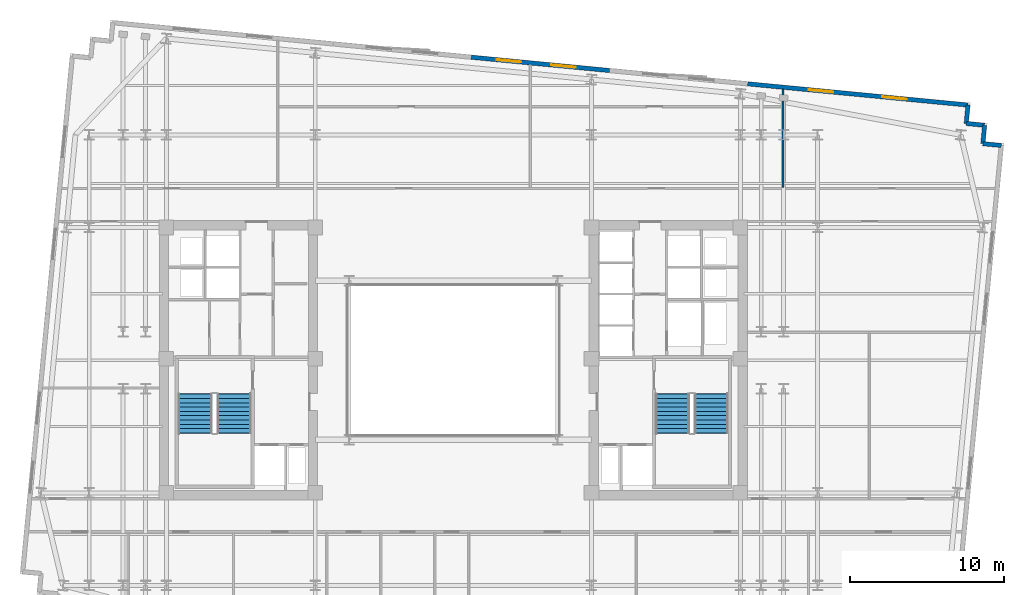
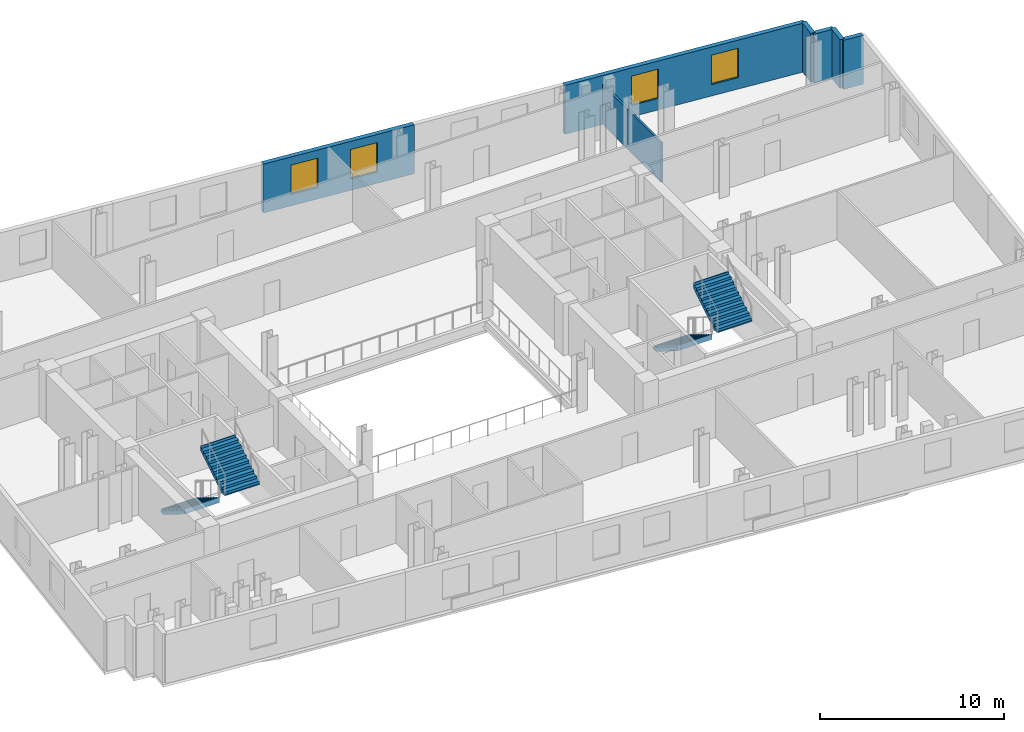
# One storey, part 7 of 9: 7 walls, 4 stair flights, 4 windows, 4 openings, 2 elements without a shape of their own.
"""IFC4 building model written with IfcOpenShell, lengths in metres."""

import ifcopenshell
import ifcopenshell.guid

model = None  # the IFC model being written
_history = None  # IfcOwnerHistory: only IFC2X3 demands one
_inside = {}  # id of a spatial element -> (the spatial element, [elements in it])
_under = {}  # id of a project, library or spatial element -> (it, [spatial elements below it])
_declared = {}  # id of a project -> (the project, [libraries it declares])
_typed = {}  # id of a type object -> (the type object, [elements of that type])
_made_of = {}  # id of a material, layer set ... -> (it, [elements and type objects made of it])


def new_model(schema):
    """Start an empty IFC model of exactly this schema.

    Asked for "IFC4X3", IfcOpenShell would pick the latest addendum, in which some entities
    have other attributes; the version numbers below select the first issue.
    IFC2X3 requires an IfcOwnerHistory on every rooted entity: one is made here for all.
    """
    global model, _history
    if schema == "IFC4X3":
        model = ifcopenshell.file(schema_version=(4, 3, 0, 0))
    else:
        model = ifcopenshell.file(schema=schema)
    _inside.clear()
    _under.clear()
    _declared.clear()
    _typed.clear()
    _made_of.clear()
    _history = None
    if model.schema == "IFC2X3":
        org = make("IfcOrganization", Name="unknown")
        user = make(
            "IfcPersonAndOrganization",
            ThePerson=make("IfcPerson", FamilyName="unknown"),
            TheOrganization=org,
        )
        app = make(
            "IfcApplication",
            ApplicationDeveloper=org,
            Version="unknown",
            ApplicationFullName="unknown",
            ApplicationIdentifier="unknown",
        )
        _history = make(
            "IfcOwnerHistory",
            OwningUser=user,
            OwningApplication=app,
            ChangeAction="ADDED",
            CreationDate=0,
        )
    return model


def make(cls, **values):
    """One entity of the class cls with the attributes given. An attribute that is None is left unset."""
    return model.create_entity(
        cls, **{name: value for name, value in values.items() if value is not None}
    )


def rooted(cls, **values):
    """An entity with a GlobalId (a new one), such as an element, a storey or a relation."""
    return make(cls, GlobalId=ifcopenshell.guid.new(), OwnerHistory=_history, **values)


def si_unit(unit_type, name, prefix=None):
    """IfcSIUnit, for example si_unit("LENGTHUNIT", "METRE", prefix="MILLI")."""
    return make("IfcSIUnit", UnitType=unit_type, Prefix=prefix, Name=name)


def assignment(units):
    """IfcUnitAssignment: the units of a project."""
    return None if units is None else make("IfcUnitAssignment", Units=units)


def point(xyz):
    """IfcCartesianPoint."""
    return None if xyz is None else make("IfcCartesianPoint", Coordinates=xyz)


def direction(xyz):
    """IfcDirection."""
    return None if xyz is None else make("IfcDirection", DirectionRatios=xyz)


def frame(location, z_axis=None, x_axis=None):
    """IfcAxis2Placement3D, a coordinate frame: its origin and axes. An axis left out is left unset."""
    return make(
        "IfcAxis2Placement3D",
        Location=point(location),
        Axis=direction(z_axis),
        RefDirection=direction(x_axis),
    )


def frame_2d(location, x_axis=None):
    """IfcAxis2Placement2D, a coordinate frame in the plane: its origin and x axis."""
    return make(
        "IfcAxis2Placement2D", Location=point(location), RefDirection=direction(x_axis)
    )


def origin():
    """The frame at (0, 0, 0) with its axes left unset."""
    return frame((0.0, 0.0, 0.0))


def place(relative_to, where):
    """IfcLocalPlacement: puts the frame where relative to a parent placement (None: the world)."""
    return make(
        "IfcLocalPlacement", PlacementRelTo=relative_to, RelativePlacement=where
    )


def context(
    kind, dimensions, precision=None, world=None, true_north=None, identifier=None
):
    """IfcGeometricRepresentationContext, for example the 3D "Model" context."""
    return make(
        "IfcGeometricRepresentationContext",
        ContextIdentifier=identifier,
        ContextType=kind,
        CoordinateSpaceDimension=dimensions,
        Precision=precision,
        WorldCoordinateSystem=world,
        TrueNorth=true_north,
    )


def subcontext(parent, identifier, kind, view, scale=None):
    """IfcGeometricRepresentationSubContext, for example "Body" below "Model"."""
    return make(
        "IfcGeometricRepresentationSubContext",
        ContextIdentifier=identifier,
        ContextType=kind,
        ParentContext=parent,
        TargetScale=scale,
        TargetView=view,
    )


def project(units=None, contexts=None):
    """IfcProject with its units and contexts."""
    return rooted(
        "IfcProject",
        Name="project",
        RepresentationContexts=contexts,
        UnitsInContext=assignment(units),
    )


def spatial(cls, under=None, at=None, **own):
    """A site, building, storey or space (cls), placed at a placement, below another one or the project."""
    s = rooted(cls, ObjectPlacement=at, **own)
    if under is not None:
        _under.setdefault(under.id(), (under, []))[1].append(s)
    return s


def polyline(points):
    """IfcPolyline through the points."""
    return make("IfcPolyline", Points=[point(p) for p in points])


def profile(cls, at=None, kind="AREA", **sizes):
    """A parametric profile (cls). Its sizes go by their IFC names, for example OverallWidth=200.0."""
    return make(cls, ProfileType=kind, Position=at, **sizes)


def rectangle(**sizes):
    """IfcRectangleProfileDef."""
    return profile("IfcRectangleProfileDef", **sizes)


def outline(outer, holes=None, kind="AREA"):
    """IfcArbitraryClosedProfileDef: a profile drawn as a closed curve; with holes, ...WithVoids."""
    if holes is None:
        return make("IfcArbitraryClosedProfileDef", ProfileType=kind, OuterCurve=outer)
    return make(
        "IfcArbitraryProfileDefWithVoids",
        ProfileType=kind,
        OuterCurve=outer,
        InnerCurves=holes,
    )


def extrude(swept, where, along, depth):
    """IfcExtrudedAreaSolid: the profile swept, set in the frame where, extruded along a direction by depth."""
    return make(
        "IfcExtrudedAreaSolid",
        SweptArea=swept,
        Position=where,
        ExtrudedDirection=direction(along),
        Depth=depth,
    )


def shape(context_of_items, identifier, shape_type, items):
    """IfcShapeRepresentation: the items that make up one representation, for example the "Body"."""
    return make(
        "IfcShapeRepresentation",
        ContextOfItems=context_of_items,
        RepresentationIdentifier=identifier,
        RepresentationType=shape_type,
        Items=items,
    )


def material(Name=None, Category=None):
    """IfcMaterial."""
    return make("IfcMaterial", Name=Name, Category=Category)


def layer(
    of_material, thickness, ventilated=None, Name=None, Category=None, Priority=None
):
    """IfcMaterialLayer: one layer of a wall or slab, of a material (None: an air gap)."""
    return make(
        "IfcMaterialLayer",
        Material=of_material,
        LayerThickness=thickness,
        IsVentilated=ventilated,
        Name=Name,
        Category=Category,
        Priority=Priority,
    )


def layer_set(layers, Name=None):
    """IfcMaterialLayerSet."""
    return make("IfcMaterialLayerSet", MaterialLayers=layers, LayerSetName=Name)


def made_of(thing, what):
    """Note that an element or type object is made of a material, layer set ...; save() writes the relation."""
    if what is not None:
        _made_of.setdefault(what.id(), (what, []))[1].append(thing)
    return thing


def type_object(cls, material=None, **own):
    """A type object (cls), such as IfcWallType, which elements share."""
    return made_of(rooted(cls, **own), material)


def element(
    cls,
    number,
    at=None,
    inside=None,
    cuts=None,
    type_object=None,
    material=None,
    context=None,
    identifier="Body",
    shape_type=None,
    held_by="IfcProductDefinitionShape",
    body=None,
    shapes=None,
    **own,
):
    """One element of the class cls, such as IfcWall. Its Tag is "e" and its number.

    at: its placement. inside: the storey or other place that contains it. cuts: it is an
    opening in that element (IfcRelVoidsElement). A single representation is given by context,
    identifier, shape_type and body (its items); several are given by shapes. held_by: the class
    of the entity that holds the representations. save() writes the other relations.
    """
    e = rooted(cls, Tag="e%d" % number, ObjectPlacement=at, **own)
    if body is not None:
        shapes = [shape(context, identifier, shape_type, body)]
    if shapes is not None:
        e.Representation = make(held_by, Representations=shapes)
    if inside is not None:
        _inside.setdefault(inside.id(), (inside, []))[1].append(e)
    if cuts is not None:
        rooted(
            "IfcRelVoidsElement", RelatingBuildingElement=cuts, RelatedOpeningElement=e
        )
    if type_object is not None:
        _typed.setdefault(type_object.id(), (type_object, []))[1].append(e)
    return made_of(e, material)


def fill(opening, filler):
    """IfcRelFillsElement: the door or window that sits in an opening."""
    return rooted(
        "IfcRelFillsElement",
        RelatingOpeningElement=opening,
        RelatedBuildingElement=filler,
    )


def aggregate(whole, parts):
    """IfcRelAggregates: a whole, such as a stair, and the parts it consists of."""
    return rooted("IfcRelAggregates", RelatingObject=whole, RelatedObjects=parts)


def save(model, path):
    """Write the relations noted so far, then the file.

    IfcRelAggregates (storeys below a building ...), IfcRelContainedInSpatialStructure (elements
    in a storey), IfcRelDefinesByType, IfcRelAssociatesMaterial and IfcRelDeclares: one each for
    every whole, place, type object, material and project.
    """
    for whole, parts in _under.values():
        aggregate(whole, parts)
    for where, things in _inside.values():
        rooted(
            "IfcRelContainedInSpatialStructure",
            RelatedElements=things,
            RelatingStructure=where,
        )
    for kind, things in _typed.values():
        rooted("IfcRelDefinesByType", RelatedObjects=things, RelatingType=kind)
    for what, things in _made_of.values():
        rooted("IfcRelAssociatesMaterial", RelatedObjects=things, RelatingMaterial=what)
    for by, libraries in _declared.values():
        rooted("IfcRelDeclares", RelatingContext=by, RelatedDefinitions=libraries)
    model.write(path)


model = new_model("IFC4")

# Units and contexts
model_context = context("Model", 3, precision=1e-05, world=origin(), true_north=direction((0.0, 1.0)))
body_context = subcontext(model_context, "Body", "Model", "MODEL_VIEW")
ifc_project = project(units=[si_unit("LENGTHUNIT", "METRE"), si_unit("AREAUNIT", "SQUARE_METRE"), si_unit("VOLUMEUNIT", "CUBIC_METRE"), si_unit("PLANEANGLEUNIT", "RADIAN"), si_unit("MASSUNIT", "GRAM", prefix="KILO")], contexts=[model_context])

# Site, building, storey
site_placement = place(None, origin())
site = spatial("IfcSite", under=ifc_project, at=site_placement, CompositionType="ELEMENT")
building_placement = place(site_placement, origin())
building = spatial("IfcBuilding", under=site, at=building_placement, Name="Velakula Bourse", CompositionType="ELEMENT")
storey_placement = place(building_placement, frame((0.0, 0.0, 181.10009765625)))
storey = spatial("IfcBuildingStorey", under=building, at=storey_placement, Name="L49", CompositionType="ELEMENT", Elevation=181.10009765625)

# Wall, openings, windows
ifc_material_1 = material(Name="Red kilned clay facing brick masonry", Category="masonry")
ifc_layer_1 = layer(ifc_material_1, 0.280029296875, Name="Red kilned clay facing brick masonry", Category="masonry")
ifc_layer_set_1 = layer_set([ifc_layer_1], Name="Red kilned clay facing brick masonry")
wall_type_1 = type_object("IfcWallType", Name="WL-EXT-BRK-280", PredefinedType="STANDARD", material=ifc_layer_set_1)
wall_1_placement = place(storey_placement, frame((1.159912109375, 19.633056640625, 0.0), z_axis=(0.0, 0.0, 1.0), x_axis=(0.995394455533, -0.09586385082, 0.0)))
wall_1 = element("IfcWall", 1, at=wall_1_placement, inside=storey, type_object=wall_type_1, Name="L49 N Brick Spandrel Wall B3", PredefinedType="STANDARD", context=body_context, shape_type="SweptSolid", body=[
    extrude(rectangle(XDim=9.000244140625, YDim=0.280029296875, at=frame_2d((4.5, 0.0))), origin(), (0.0, 0.0, 1.0), 3.25),
])
opening_1_placement = place(wall_1_placement, frame((1.64990234375, 0.0, 0.760009765625)))
opening_1 = element("IfcOpeningElement", 2, at=opening_1_placement, cuts=wall_1, Name="Opening W-02", PredefinedType="OPENING", context=body_context, shape_type="SweptSolid", body=[
    extrude(rectangle(XDim=1.60009765625, YDim=1.949951171875, at=frame_2d((0.800048828125, 0.97509765625))), frame((0.0, 0.14990234375, 0.0), z_axis=(0.0, -1.0, 0.0), x_axis=(1.0, 0.0, 0.0)), (0.0, 0.0, 1.0), 0.300048828125),
])
opening_2_placement = place(wall_1_placement, frame((5.199951171875, 0.0, 0.760009765625)))
opening_2 = element("IfcOpeningElement", 3, at=opening_2_placement, cuts=wall_1, Name="Opening W-02", PredefinedType="OPENING", context=body_context, shape_type="SweptSolid", body=[
    extrude(rectangle(XDim=1.60009765625, YDim=1.949951171875, at=frame_2d((0.800048828125, 0.97509765625))), frame((0.0, 0.14990234375, 0.0), z_axis=(0.0, -1.0, 0.0), x_axis=(1.0, 0.0, 0.0)), (0.0, 0.0, 1.0), 0.300048828125),
])
ifc_material_2 = material(Name="Double-glazed solar-control Low-E glass", Category="glass")
window_type = type_object("IfcWindowType", Name="WIN-TWR-1600x2100", PartitioningType="SINGLE_PANEL", PredefinedType="WINDOW", material=ifc_material_2)
window_1_placement = place(opening_1_placement, origin())
window_1 = element("IfcWindow", 4, at=window_1_placement, inside=storey, type_object=window_type, Name="L49 Deep-Set Recessed Window 1", OverallHeight=1.949951171875, OverallWidth=1.60009765625, PartitioningType="SINGLE_PANEL", PredefinedType="WINDOW", context=body_context, shape_type="SweptSolid", body=[
    extrude(rectangle(XDim=1.60009765625, YDim=1.949951171875, at=frame_2d((0.800048828125, 0.97509765625))), frame((0.0, 0.030029296875, 0.0), z_axis=(0.0, -1.0, 0.0), x_axis=(1.0, 0.0, 0.0)), (0.0, 0.0, 1.0), 0.06005859375),
])
fill(opening_1, window_1)
window_2_placement = place(opening_2_placement, origin())
window_2 = element("IfcWindow", 5, at=window_2_placement, inside=storey, type_object=window_type, Name="L49 Deep-Set Recessed Window 2", OverallHeight=1.949951171875, OverallWidth=1.60009765625, PartitioningType="SINGLE_PANEL", PredefinedType="WINDOW", context=body_context, shape_type="SweptSolid", body=[
    extrude(rectangle(XDim=1.60009765625, YDim=1.949951171875, at=frame_2d((0.800048828125, 0.97509765625))), frame((0.0, 0.030029296875, 0.0), z_axis=(0.0, -1.0, 0.0), x_axis=(1.0, 0.0, 0.0)), (0.0, 0.0, 1.0), 0.06005859375),
])
fill(opening_2, window_2)

wall_2_placement = place(storey_placement, frame((19.0771484375, 17.90771484375, 0.0), z_axis=(0.0, 0.0, 1.0), x_axis=(0.995395606285, -0.095851901334, 0.0)))
wall_2 = element("IfcWall", 6, at=wall_2_placement, inside=storey, type_object=wall_type_1, Name="L49 N Brick Spandrel Wall B5", PredefinedType="STANDARD", context=body_context, shape_type="SweptSolid", body=[
    extrude(rectangle(XDim=14.33984375, YDim=0.280029296875, at=frame_2d((7.169921875, 0.0))), origin(), (0.0, 0.0, 1.0), 3.25),
])
opening_3_placement = place(wall_2_placement, frame((3.97998046875, 0.0, 0.760009765625)))
opening_3 = element("IfcOpeningElement", 7, at=opening_3_placement, cuts=wall_2, Name="Opening W-02", PredefinedType="OPENING", context=body_context, shape_type="SweptSolid", body=[
    extrude(rectangle(XDim=1.60009765625, YDim=1.949951171875, at=frame_2d((0.800048828125, 0.97509765625))), frame((0.0, 0.14990234375, 0.0), z_axis=(0.0, -1.0, 0.0), x_axis=(1.0, 0.0, 0.0)), (0.0, 0.0, 1.0), 0.300048828125),
])
opening_4_placement = place(wall_2_placement, frame((8.760009765625, 0.0, 0.760009765625)))
opening_4 = element("IfcOpeningElement", 8, at=opening_4_placement, cuts=wall_2, Name="Opening W-02", PredefinedType="OPENING", context=body_context, shape_type="SweptSolid", body=[
    extrude(rectangle(XDim=1.60009765625, YDim=1.949951171875, at=frame_2d((0.800048828125, 0.97509765625))), frame((0.0, 0.14990234375, 0.0), z_axis=(0.0, -1.0, 0.0), x_axis=(1.0, 0.0, 0.0)), (0.0, 0.0, 1.0), 0.300048828125),
])
window_3_placement = place(opening_3_placement, origin())
window_3 = element("IfcWindow", 9, at=window_3_placement, inside=storey, type_object=window_type, Name="L49 Deep-Set Recessed Window 1", OverallHeight=1.949951171875, OverallWidth=1.60009765625, PartitioningType="SINGLE_PANEL", PredefinedType="WINDOW", context=body_context, shape_type="SweptSolid", body=[
    extrude(rectangle(XDim=1.60009765625, YDim=1.949951171875, at=frame_2d((0.800048828125, 0.97509765625))), frame((0.0, 0.030029296875, 0.0), z_axis=(0.0, -1.0, 0.0), x_axis=(1.0, 0.0, 0.0)), (0.0, 0.0, 1.0), 0.06005859375),
])
fill(opening_3, window_3)
window_4_placement = place(opening_4_placement, origin())
window_4 = element("IfcWindow", 10, at=window_4_placement, inside=storey, type_object=window_type, Name="L49 Deep-Set Recessed Window 2", OverallHeight=1.949951171875, OverallWidth=1.60009765625, PartitioningType="SINGLE_PANEL", PredefinedType="WINDOW", context=body_context, shape_type="SweptSolid", body=[
    extrude(rectangle(XDim=1.60009765625, YDim=1.949951171875, at=frame_2d((0.800048828125, 0.97509765625))), frame((0.0, 0.030029296875, 0.0), z_axis=(0.0, -1.0, 0.0), x_axis=(1.0, 0.0, 0.0)), (0.0, 0.0, 1.0), 0.06005859375),
])
fill(opening_4, window_4)

# Walls
wall_3_placement = place(storey_placement, frame((35.510009765625, 13.914306640625, 0.0), z_axis=(0.0, 0.0, 1.0), x_axis=(-0.995397091755, 0.095836473879, 0.0)))
element("IfcWall", 11, at=wall_3_placement, inside=storey, type_object=wall_type_1, Name="L49 Serrated Corner Brick Wall NE-1", PredefinedType="STANDARD", context=body_context, shape_type="SweptSolid", body=[
    extrude(rectangle(XDim=1.199951171875, YDim=0.280029296875, at=frame_2d((0.60009765625, 0.0))), origin(), (0.0, 0.0, 1.0), 3.25),
])
for number, where, z_axis, x_axis, name in (
    (12, (34.315673828125, 14.029296875, 0.0), (0.0, 0.0, 1.0), (0.095817067274, 0.995398960025, 0.0), "L49 Serrated Corner Brick Wall NE-2"),
    (13, (34.4306640625, 15.223876953125, 0.0), (0.0, 0.0, 1.0), (-0.995398960025, 0.095817067274, 0.0), "L49 Serrated Corner Brick Wall NE-3"),
):
    element("IfcWall", number, at=place(storey_placement, frame(where, z_axis=z_axis, x_axis=x_axis)), inside=storey, type_object=wall_type_1, Name=name, PredefinedType="STANDARD", context=body_context, shape_type="SweptSolid", body=[
        extrude(rectangle(XDim=1.2001953125, YDim=0.280029296875, at=frame_2d((0.60009765625, 0.0))), origin(), (0.0, 0.0, 1.0), 3.25),
    ])
wall_4_placement = place(storey_placement, frame((33.236083984375, 15.3388671875, 0.0), z_axis=(0.0, 0.0, 1.0), x_axis=(0.095836473879, 0.995397091755, 0.0)))
element("IfcWall", 14, at=wall_4_placement, inside=storey, type_object=wall_type_1, Name="L49 Serrated Corner Brick Wall NE-4", PredefinedType="STANDARD", context=body_context, shape_type="SweptSolid", body=[
    extrude(rectangle(XDim=1.199951171875, YDim=0.280029296875, at=frame_2d((0.60009765625, 0.0))), origin(), (0.0, 0.0, 1.0), 3.25),
])
ifc_material_3 = material(Name="Fire-rated double-layer gypsum drywall partition", Category="gypsum")
ifc_layer_2 = layer(ifc_material_3, 0.1201171875, Name="Fire-rated double-layer gypsum drywall partition", Category="gypsum")
ifc_layer_set_2 = layer_set([ifc_layer_2], Name="Fire-rated double-layer gypsum drywall partition")
wall_type_2 = type_object("IfcWallType", Name="WL-PART-120", PredefinedType="STANDARD", material=ifc_layer_set_2)
wall_5_placement = place(storey_placement, frame((21.364990234375, 11.18994140625, 0.0), z_axis=(0.0, 0.0, 1.0), x_axis=(0.0, 1.0, 0.0)))
element("IfcWall", 15, at=wall_5_placement, inside=storey, type_object=wall_type_2, Name="L49 Interior Partition WL-INT-L49-N-D3", PredefinedType="STANDARD", context=body_context, shape_type="SweptSolid", body=[
    extrude(rectangle(XDim=6.376953125, YDim=0.1201171875, at=frame_2d((3.1884765625, 0.0))), origin(), (0.0, 0.0, 1.0), 2.64501953125),
])

# Stair, stair flights
ifc_material_4 = material(Name="Concrete M45 (fck 45 MPa)", Category="concrete")
stair_type = type_object("IfcStairType", Name="STR-DOG-390", PredefinedType="HALF_TURN_STAIR", material=ifc_material_4)
stair_1_placement = place(storey_placement, origin())
stair_1 = element("IfcStair", 16, at=stair_1_placement, inside=storey, type_object=stair_type, Name="L49 West Core Exit Stair ST-W1", PredefinedType="HALF_TURN_STAIR")
ifc_layer_3 = layer(ifc_material_4, 0.195068359375, Name="Concrete M45 (fck 45 MPa)", Category="concrete")
ifc_layer_set_3 = layer_set([ifc_layer_3], Name="Concrete M45 (fck 45 MPa)")
stair_flight_type = type_object("IfcStairFlightType", Name="FLT-DOG-390", PredefinedType="STRAIGHT", material=ifc_layer_set_3)
stair_flight_1_placement = place(storey_placement, frame((-16.720947265625, -2.199951171875, 0.0), z_axis=(0.0, 0.0, 1.0), x_axis=(0.0, -1.0, 0.0)))
stair_flight_1 = element("IfcStairFlight", 17, at=stair_flight_1_placement, type_object=stair_flight_type, Name="ST-W1 flight 1", NumberOfRisers=10, NumberOfTreads=9, PredefinedType="STRAIGHT", RiserHeight=0.1725, TreadLength=0.28, context=body_context, shape_type="SweptSolid", body=[
    extrude(outline(polyline([(-0.044921875, -0.0400390625), (-0.044921875, -0.036865234375), (-0.044921875, -0.033935546875), (-0.044921875, -0.03076171875), (-0.044921875, -0.027587890625), (-0.044921875, -0.024658203125), (-0.044921875, -0.021484375), (-0.044921875, -0.0185546875), (-0.044921875, -0.015380859375), (-0.044921875, -0.01220703125), (-0.044921875, -0.00927734375), (-0.044921875, -0.006103515625), (-0.044921875, -0.003173828125), (-0.044921875, 0.0), (0.0, 0.0), (0.0, 0.172607421875), (0.280029296875, 0.172607421875), (0.280029296875, 0.344970703125), (0.56005859375, 0.344970703125), (0.56005859375, 0.517578125), (0.840087890625, 0.517578125), (0.840087890625, 0.68994140625), (1.1201171875, 0.68994140625), (1.1201171875, 0.862548828125), (1.39990234375, 0.862548828125), (1.39990234375, 1.034912109375), (1.679931640625, 1.034912109375), (1.679931640625, 1.20751953125), (1.9599609375, 1.20751953125), (1.9599609375, 1.3798828125), (2.239990234375, 1.3798828125), (2.239990234375, 1.552490234375), (2.52001953125, 1.552490234375), (2.52001953125, 1.72509765625), (2.56494140625, 1.72509765625), (2.56494140625, 1.7001953125), (2.56494140625, 1.67529296875), (2.56494140625, 1.650390625), (2.56494140625, 1.62548828125), (2.56494140625, 1.6005859375), (2.56494140625, 1.57568359375), (2.56494140625, 1.55078125), (2.56494140625, 1.52587890625), (2.56494140625, 1.5009765625), (2.56494140625, 1.47607421875), (2.56494140625, 1.451171875), (2.56494140625, 1.42626953125), (2.56494140625, 1.4013671875), (2.56494140625, 1.37646484375), (0.285888671875, -0.0400390625), (-0.044921875, -0.0400390625)])), frame((0.0, 1.09912109375, 0.0), z_axis=(0.0, -1.0, 0.0), x_axis=(1.0, 0.0, 0.0)), (0.0, 0.0, 1.0), 2.197998046875),
])
stair_flight_2_placement = place(storey_placement, frame((-14.198974609375, -4.719970703125, 1.724853515625), z_axis=(0.0, 0.0, 1.0), x_axis=(0.0, 1.0, 0.0)))
stair_flight_2 = element("IfcStairFlight", 18, at=stair_flight_2_placement, type_object=stair_flight_type, Name="ST-W1 flight 2", NumberOfRisers=10, NumberOfTreads=9, PredefinedType="STRAIGHT", RiserHeight=0.1725, TreadLength=0.28, context=body_context, shape_type="SweptSolid", body=[
    extrude(outline(polyline([(-0.044921875, -0.0400390625), (-0.044921875, -0.036865234375), (-0.044921875, -0.033935546875), (-0.044921875, -0.03076171875), (-0.044921875, -0.027587890625), (-0.044921875, -0.024658203125), (-0.044921875, -0.021484375), (-0.044921875, -0.0185546875), (-0.044921875, -0.015380859375), (-0.044921875, -0.01220703125), (-0.044921875, -0.00927734375), (-0.044921875, -0.006103515625), (-0.044921875, -0.003173828125), (-0.044921875, 0.0), (0.0, 0.0), (0.0, 0.172607421875), (0.280029296875, 0.172607421875), (0.280029296875, 0.344970703125), (0.56005859375, 0.344970703125), (0.56005859375, 0.517578125), (0.840087890625, 0.517578125), (0.840087890625, 0.68994140625), (1.1201171875, 0.68994140625), (1.1201171875, 0.862548828125), (1.39990234375, 0.862548828125), (1.39990234375, 1.034912109375), (1.679931640625, 1.034912109375), (1.679931640625, 1.20751953125), (1.9599609375, 1.20751953125), (1.9599609375, 1.3798828125), (2.239990234375, 1.3798828125), (2.239990234375, 1.552490234375), (2.52001953125, 1.552490234375), (2.52001953125, 1.72509765625), (2.56494140625, 1.72509765625), (2.56494140625, 1.7001953125), (2.56494140625, 1.67529296875), (2.56494140625, 1.650390625), (2.56494140625, 1.62548828125), (2.56494140625, 1.6005859375), (2.56494140625, 1.57568359375), (2.56494140625, 1.55078125), (2.56494140625, 1.52587890625), (2.56494140625, 1.5009765625), (2.56494140625, 1.47607421875), (2.56494140625, 1.451171875), (2.56494140625, 1.42626953125), (2.56494140625, 1.4013671875), (2.56494140625, 1.37646484375), (0.285888671875, -0.0400390625), (-0.044921875, -0.0400390625)])), frame((0.0, 1.09912109375, 0.0), z_axis=(0.0, -1.0, 0.0), x_axis=(1.0, 0.0, 0.0)), (0.0, 0.0, 1.0), 2.197998046875),
])
aggregate(stair_1, [stair_flight_1, stair_flight_2])

stair_2_placement = place(storey_placement, origin())
stair_2 = element("IfcStair", 19, at=stair_2_placement, inside=storey, type_object=stair_type, Name="L49 East Core Exit Stair ST-E1", PredefinedType="HALF_TURN_STAIR")
stair_flight_3_placement = place(storey_placement, frame((14.198974609375, -2.199951171875, 0.0), z_axis=(0.0, 0.0, 1.0), x_axis=(0.0, -1.0, 0.0)))
stair_flight_3 = element("IfcStairFlight", 20, at=stair_flight_3_placement, type_object=stair_flight_type, Name="ST-E1 flight 1", NumberOfRisers=10, NumberOfTreads=9, PredefinedType="STRAIGHT", RiserHeight=0.1725, TreadLength=0.28, context=body_context, shape_type="SweptSolid", body=[
    extrude(outline(polyline([(-0.044921875, -0.0400390625), (-0.044921875, -0.036865234375), (-0.044921875, -0.033935546875), (-0.044921875, -0.03076171875), (-0.044921875, -0.027587890625), (-0.044921875, -0.024658203125), (-0.044921875, -0.021484375), (-0.044921875, -0.0185546875), (-0.044921875, -0.015380859375), (-0.044921875, -0.01220703125), (-0.044921875, -0.00927734375), (-0.044921875, -0.006103515625), (-0.044921875, -0.003173828125), (-0.044921875, 0.0), (0.0, 0.0), (0.0, 0.172607421875), (0.280029296875, 0.172607421875), (0.280029296875, 0.344970703125), (0.56005859375, 0.344970703125), (0.56005859375, 0.517578125), (0.840087890625, 0.517578125), (0.840087890625, 0.68994140625), (1.1201171875, 0.68994140625), (1.1201171875, 0.862548828125), (1.39990234375, 0.862548828125), (1.39990234375, 1.034912109375), (1.679931640625, 1.034912109375), (1.679931640625, 1.20751953125), (1.9599609375, 1.20751953125), (1.9599609375, 1.3798828125), (2.239990234375, 1.3798828125), (2.239990234375, 1.552490234375), (2.52001953125, 1.552490234375), (2.52001953125, 1.72509765625), (2.56494140625, 1.72509765625), (2.56494140625, 1.7001953125), (2.56494140625, 1.67529296875), (2.56494140625, 1.650390625), (2.56494140625, 1.62548828125), (2.56494140625, 1.6005859375), (2.56494140625, 1.57568359375), (2.56494140625, 1.55078125), (2.56494140625, 1.52587890625), (2.56494140625, 1.5009765625), (2.56494140625, 1.47607421875), (2.56494140625, 1.451171875), (2.56494140625, 1.42626953125), (2.56494140625, 1.4013671875), (2.56494140625, 1.37646484375), (0.285888671875, -0.0400390625), (-0.044921875, -0.0400390625)])), frame((0.0, 1.09912109375, 0.0), z_axis=(0.0, -1.0, 0.0), x_axis=(1.0, 0.0, 0.0)), (0.0, 0.0, 1.0), 2.197998046875),
])
stair_flight_4_placement = place(storey_placement, frame((16.720947265625, -4.719970703125, 1.724853515625), z_axis=(0.0, 0.0, 1.0), x_axis=(0.0, 1.0, 0.0)))
stair_flight_4 = element("IfcStairFlight", 21, at=stair_flight_4_placement, type_object=stair_flight_type, Name="ST-E1 flight 2", NumberOfRisers=10, NumberOfTreads=9, PredefinedType="STRAIGHT", RiserHeight=0.1725, TreadLength=0.28, context=body_context, shape_type="SweptSolid", body=[
    extrude(outline(polyline([(-0.044921875, -0.0400390625), (-0.044921875, -0.036865234375), (-0.044921875, -0.033935546875), (-0.044921875, -0.03076171875), (-0.044921875, -0.027587890625), (-0.044921875, -0.024658203125), (-0.044921875, -0.021484375), (-0.044921875, -0.0185546875), (-0.044921875, -0.015380859375), (-0.044921875, -0.01220703125), (-0.044921875, -0.00927734375), (-0.044921875, -0.006103515625), (-0.044921875, -0.003173828125), (-0.044921875, 0.0), (0.0, 0.0), (0.0, 0.172607421875), (0.280029296875, 0.172607421875), (0.280029296875, 0.344970703125), (0.56005859375, 0.344970703125), (0.56005859375, 0.517578125), (0.840087890625, 0.517578125), (0.840087890625, 0.68994140625), (1.1201171875, 0.68994140625), (1.1201171875, 0.862548828125), (1.39990234375, 0.862548828125), (1.39990234375, 1.034912109375), (1.679931640625, 1.034912109375), (1.679931640625, 1.20751953125), (1.9599609375, 1.20751953125), (1.9599609375, 1.3798828125), (2.239990234375, 1.3798828125), (2.239990234375, 1.552490234375), (2.52001953125, 1.552490234375), (2.52001953125, 1.72509765625), (2.56494140625, 1.72509765625), (2.56494140625, 1.7001953125), (2.56494140625, 1.67529296875), (2.56494140625, 1.650390625), (2.56494140625, 1.62548828125), (2.56494140625, 1.6005859375), (2.56494140625, 1.57568359375), (2.56494140625, 1.55078125), (2.56494140625, 1.52587890625), (2.56494140625, 1.5009765625), (2.56494140625, 1.47607421875), (2.56494140625, 1.451171875), (2.56494140625, 1.42626953125), (2.56494140625, 1.4013671875), (2.56494140625, 1.37646484375), (0.285888671875, -0.0400390625), (-0.044921875, -0.0400390625)])), frame((0.0, 1.09912109375, 0.0), z_axis=(0.0, -1.0, 0.0), x_axis=(1.0, 0.0, 0.0)), (0.0, 0.0, 1.0), 2.197998046875),
])
aggregate(stair_2, [stair_flight_3, stair_flight_4])

save(model, "model.ifc")
